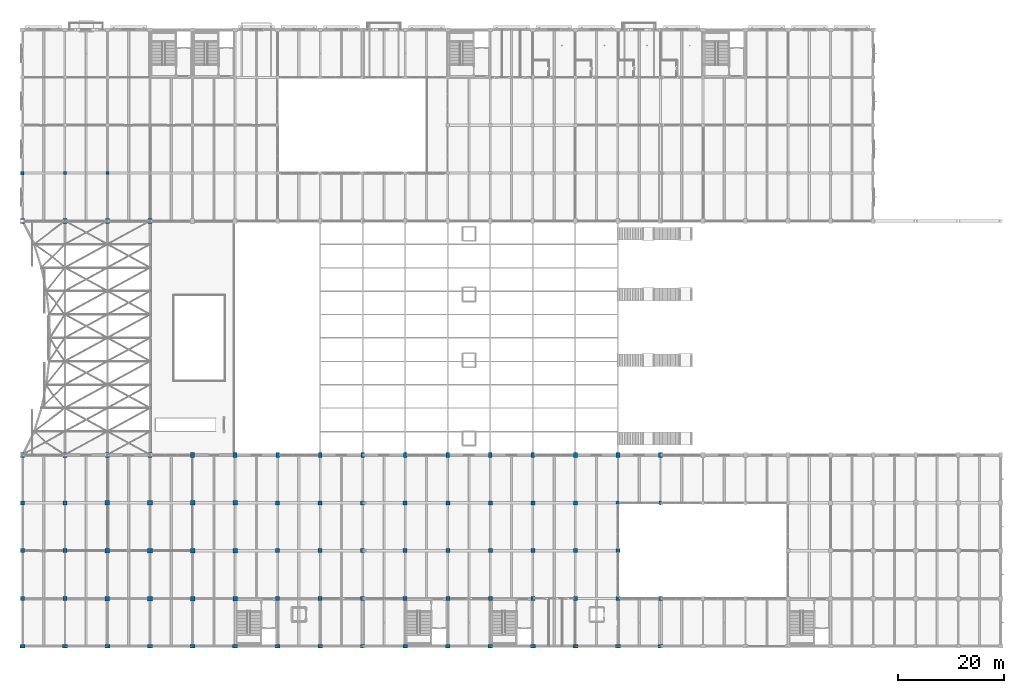
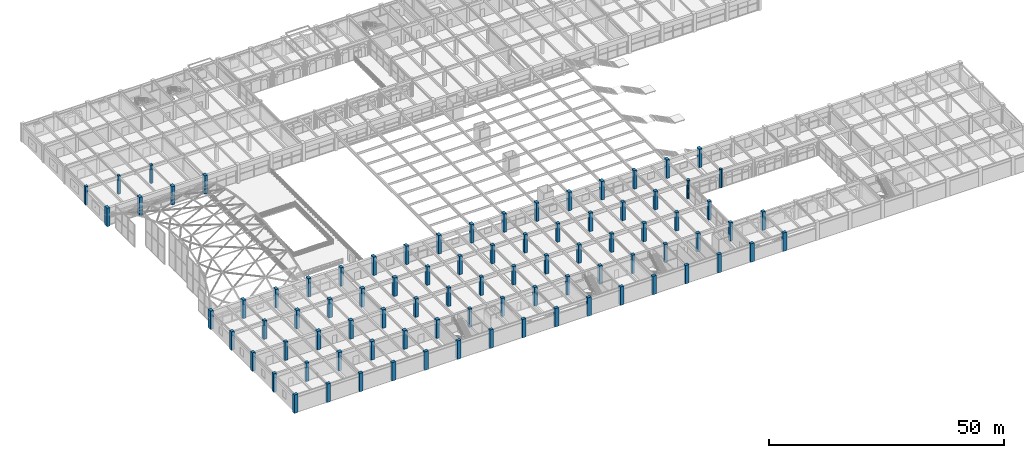
# One storey, part 1 of 144: 86 columns.
"""IFC4 building model written with IfcOpenShell, lengths in metres."""

from ifc_helpers import new_model, si_unit, direction, frame, origin, origin_2d, place, context, subcontext, project, spatial, rectangle, circle, extrude, material, material_profile, profile_set, type_object, element, save


model = new_model("IFC4")

# Units and contexts
model_context = context("Model", 3, precision=1e-05, world=origin(), true_north=direction((0.0, 1.0)))
body_context = subcontext(model_context, "Body", "Model", "MODEL_VIEW")
ifc_project = project(units=[si_unit("LENGTHUNIT", "METRE"), si_unit("AREAUNIT", "SQUARE_METRE"), si_unit("VOLUMEUNIT", "CUBIC_METRE"), si_unit("PLANEANGLEUNIT", "RADIAN"), si_unit("MASSUNIT", "GRAM", prefix="KILO")], contexts=[model_context])

# Site, building, storey
site_placement = place(None, origin())
site = spatial("IfcSite", under=ifc_project, at=site_placement, CompositionType="ELEMENT")
building_placement = place(site_placement, origin())
building = spatial("IfcBuilding", under=site, at=building_placement, Name="Varnabhumi Central Station", CompositionType="ELEMENT")
storey_placement = place(building_placement, frame((0.0, 0.0, 4.800048828125)))
storey = spatial("IfcBuildingStorey", under=building, at=storey_placement, Name="L01", CompositionType="ELEMENT", Elevation=4.800048828125)

# Columns
ifc_material_1 = material(Name="Concrete M40", Category="concrete")
ifc_material_profile_1 = material_profile(ifc_material_1, rectangle(XDim=0.60009765625, YDim=0.60009765625, at=origin_2d()), Name="Concrete M40", Category="concrete")
ifc_profile_set_1 = profile_set([ifc_material_profile_1], Name="Concrete M40")
column_type_1 = type_object("IfcColumnType", Name="COL-NORTH-600", PredefinedType="COLUMN", material=ifc_profile_set_1)
for number, where, z_axis, x_axis, name in (
    (1, (8.0, 89.0, 0.0), (0.0, 0.0, 1.0), (1.0, 0.0, 0.0), "Column L01-2L"),
    (2, (16.0, 89.0, 0.0), (0.0, 0.0, 1.0), (1.0, 0.0, 0.0), "Column L01-3L"),
):
    element("IfcColumn", number, at=place(storey_placement, frame(where, z_axis=z_axis, x_axis=x_axis)), inside=storey, type_object=column_type_1, Name=name, PredefinedType="COLUMN", context=body_context, shape_type="SweptSolid", body=[
        extrude(rectangle(XDim=0.60009765625, YDim=0.60009765625, at=origin_2d()), origin(), (0.0, 0.0, 1.0), 4.800048828125),
    ])
ifc_material_profile_2 = material_profile(ifc_material_1, circle(Radius=0.375, at=origin_2d()), Name="Concrete M40", Category="concrete")
ifc_profile_set_2 = profile_set([ifc_material_profile_2], Name="Concrete M40")
column_type_2 = type_object("IfcColumnType", Name="COL-PATIO-D750", PredefinedType="PILASTER", material=ifc_profile_set_2)
for number, where, z_axis, x_axis, name in (
    (3, (112.0, 27.0, 0.0), (0.0, 0.0, 1.0), (1.0, 0.0, 0.0), "Column L01-15D"),
    (4, (120.0, 27.0, 0.0), (0.0, 0.0, 1.0), (1.0, 0.0, 0.0), "Column L01-16D"),
):
    element("IfcColumn", number, at=place(storey_placement, frame(where, z_axis=z_axis, x_axis=x_axis)), inside=storey, type_object=column_type_2, Name=name, PredefinedType="PILASTER", context=body_context, shape_type="SweptSolid", body=[
        extrude(circle(Radius=0.375, at=origin_2d()), origin(), (0.0, 0.0, 1.0), 4.800048828125),
    ])
ifc_material_profile_3 = material_profile(ifc_material_1, rectangle(XDim=0.64990234375, YDim=0.64990234375, at=origin_2d()), Name="Concrete M40", Category="concrete")
ifc_profile_set_3 = profile_set([ifc_material_profile_3], Name="Concrete M40")
column_type_3 = type_object("IfcColumnType", Name="COL-RC-650", PredefinedType="COLUMN", material=ifc_profile_set_3)
column_placement = place(storey_placement, frame((0.0, 89.0, 0.0), z_axis=(0.0, 0.0, 1.0), x_axis=(1.0, 0.0, 0.0)))
element("IfcColumn", 5, at=column_placement, inside=storey, type_object=column_type_3, Name="Column L01-1L", PredefinedType="COLUMN", context=body_context, shape_type="SweptSolid", body=[
    extrude(rectangle(XDim=0.64990234375, YDim=0.64990234375, at=origin_2d()), origin(), (0.0, 0.0, 1.0), 4.800048828125),
])
ifc_material_profile_4 = material_profile(ifc_material_1, rectangle(XDim=0.75, YDim=0.75, at=origin_2d()), Name="Concrete M40", Category="concrete")
ifc_profile_set_4 = profile_set([ifc_material_profile_4], Name="Concrete M40")
column_type_4 = type_object("IfcColumnType", Name="COL-RC-750", PredefinedType="COLUMN", material=ifc_profile_set_4)
for number, where, z_axis, x_axis, name in (
    (6, (0.0, 9.0, 0.0), (0.0, 0.0, 1.0), (1.0, 0.0, 0.0), "Column L01-1B"),
    (7, (0.0, 18.0, 0.0), (0.0, 0.0, 1.0), (1.0, 0.0, 0.0), "Column L01-1C"),
    (8, (0.0, 27.0, 0.0), (0.0, 0.0, 1.0), (1.0, 0.0, 0.0), "Column L01-1D"),
    (9, (8.0, 9.0, 0.0), (0.0, 0.0, 1.0), (1.0, 0.0, 0.0), "Column L01-2B"),
    (10, (8.0, 18.0, 0.0), (0.0, 0.0, 1.0), (1.0, 0.0, 0.0), "Column L01-2C"),
    (11, (8.0, 27.0, 0.0), (0.0, 0.0, 1.0), (1.0, 0.0, 0.0), "Column L01-2D"),
    (12, (48.0, 9.0, 0.0), (0.0, 0.0, 1.0), (1.0, 0.0, 0.0), "Column L01-7B"),
    (13, (48.0, 18.0, 0.0), (0.0, 0.0, 1.0), (1.0, 0.0, 0.0), "Column L01-7C"),
    (14, (48.0, 27.0, 0.0), (0.0, 0.0, 1.0), (1.0, 0.0, 0.0), "Column L01-7D"),
    (15, (56.0, 9.0, 0.0), (0.0, 0.0, 1.0), (1.0, 0.0, 0.0), "Column L01-8B"),
    (16, (56.0, 18.0, 0.0), (0.0, 0.0, 1.0), (1.0, 0.0, 0.0), "Column L01-8C"),
    (17, (56.0, 27.0, 0.0), (0.0, 0.0, 1.0), (1.0, 0.0, 0.0), "Column L01-8D"),
    (18, (64.0, 9.0, 0.0), (0.0, 0.0, 1.0), (1.0, 0.0, 0.0), "Column L01-9B"),
    (19, (64.0, 18.0, 0.0), (0.0, 0.0, 1.0), (1.0, 0.0, 0.0), "Column L01-9C"),
    (20, (64.0, 27.0, 0.0), (0.0, 0.0, 1.0), (1.0, 0.0, 0.0), "Column L01-9D"),
    (21, (72.0, 9.0, 0.0), (0.0, 0.0, 1.0), (1.0, 0.0, 0.0), "Column L01-10B"),
    (22, (72.0, 18.0, 0.0), (0.0, 0.0, 1.0), (1.0, 0.0, 0.0), "Column L01-10C"),
    (23, (72.0, 27.0, 0.0), (0.0, 0.0, 1.0), (1.0, 0.0, 0.0), "Column L01-10D"),
    (24, (80.0, 9.0, 0.0), (0.0, 0.0, 1.0), (1.0, 0.0, 0.0), "Column L01-11B"),
    (25, (80.0, 18.0, 0.0), (0.0, 0.0, 1.0), (1.0, 0.0, 0.0), "Column L01-11C"),
    (26, (80.0, 27.0, 0.0), (0.0, 0.0, 1.0), (1.0, 0.0, 0.0), "Column L01-11D"),
    (27, (88.0, 9.0, 0.0), (0.0, 0.0, 1.0), (1.0, 0.0, 0.0), "Column L01-12B"),
    (28, (88.0, 18.0, 0.0), (0.0, 0.0, 1.0), (1.0, 0.0, 0.0), "Column L01-12C"),
    (29, (88.0, 27.0, 0.0), (0.0, 0.0, 1.0), (1.0, 0.0, 0.0), "Column L01-12D"),
    (30, (96.0, 9.0, 0.0), (0.0, 0.0, 1.0), (1.0, 0.0, 0.0), "Column L01-13B"),
    (31, (96.0, 18.0, 0.0), (0.0, 0.0, 1.0), (1.0, 0.0, 0.0), "Column L01-13C"),
    (32, (96.0, 27.0, 0.0), (0.0, 0.0, 1.0), (1.0, 0.0, 0.0), "Column L01-13D"),
    (33, (104.0, 9.0, 0.0), (0.0, 0.0, 1.0), (1.0, 0.0, 0.0), "Column L01-14B"),
    (34, (104.0, 18.0, 0.0), (0.0, 0.0, 1.0), (1.0, 0.0, 0.0), "Column L01-14C"),
    (35, (104.0, 27.0, 0.0), (0.0, 0.0, 1.0), (1.0, 0.0, 0.0), "Column L01-14D"),
    (36, (112.0, 9.0, 0.0), (0.0, 0.0, 1.0), (1.0, 0.0, 0.0), "Column L01-15B"),
    (37, (112.0, 18.0, 0.0), (0.0, 0.0, 1.0), (1.0, 0.0, 0.0), "Column L01-15C"),
    (38, (120.0, 9.0, 0.0), (0.0, 0.0, 1.0), (1.0, 0.0, 0.0), "Column L01-16B"),
):
    element("IfcColumn", number, at=place(storey_placement, frame(where, z_axis=z_axis, x_axis=x_axis)), inside=storey, type_object=column_type_4, Name=name, PredefinedType="COLUMN", context=body_context, shape_type="SweptSolid", body=[
        extrude(rectangle(XDim=0.75, YDim=0.75, at=origin_2d()), origin(), (0.0, 0.0, 1.0), 4.800048828125),
    ])
ifc_material_2 = material(Name="Concrete M50", Category="concrete")
ifc_material_profile_5 = material_profile(ifc_material_2, rectangle(XDim=0.85009765625, YDim=0.85009765625, at=origin_2d()), Name="Concrete M50", Category="concrete")
ifc_profile_set_5 = profile_set([ifc_material_profile_5], Name="Concrete M50")
column_type_5 = type_object("IfcColumnType", Name="COL-RC-850", PredefinedType="COLUMN", material=ifc_profile_set_5)
for number, where, z_axis, x_axis, name in (
    (39, (16.0, 9.0, 0.0), (0.0, 0.0, 1.0), (1.0, 0.0, 0.0), "Column L01-3B"),
    (40, (16.0, 18.0, 0.0), (0.0, 0.0, 1.0), (1.0, 0.0, 0.0), "Column L01-3C"),
    (41, (16.0, 27.0, 0.0), (0.0, 0.0, 1.0), (1.0, 0.0, 0.0), "Column L01-3D"),
    (42, (24.0, 9.0, 0.0), (0.0, 0.0, 1.0), (1.0, 0.0, 0.0), "Column L01-4B"),
    (43, (24.0, 18.0, 0.0), (0.0, 0.0, 1.0), (1.0, 0.0, 0.0), "Column L01-4C"),
    (44, (24.0, 27.0, 0.0), (0.0, 0.0, 1.0), (1.0, 0.0, 0.0), "Column L01-4D"),
    (45, (32.0, 9.0, 0.0), (0.0, 0.0, 1.0), (1.0, 0.0, 0.0), "Column L01-5B"),
    (46, (32.0, 18.0, 0.0), (0.0, 0.0, 1.0), (1.0, 0.0, 0.0), "Column L01-5C"),
    (47, (32.0, 27.0, 0.0), (0.0, 0.0, 1.0), (1.0, 0.0, 0.0), "Column L01-5D"),
    (48, (40.0, 9.0, 0.0), (0.0, 0.0, 1.0), (1.0, 0.0, 0.0), "Column L01-6B"),
    (49, (40.0, 18.0, 0.0), (0.0, 0.0, 1.0), (1.0, 0.0, 0.0), "Column L01-6C"),
    (50, (40.0, 27.0, 0.0), (0.0, 0.0, 1.0), (1.0, 0.0, 0.0), "Column L01-6D"),
):
    element("IfcColumn", number, at=place(storey_placement, frame(where, z_axis=z_axis, x_axis=x_axis)), inside=storey, type_object=column_type_5, Name=name, PredefinedType="COLUMN", context=body_context, shape_type="SweptSolid", body=[
        extrude(rectangle(XDim=0.85009765625, YDim=0.85009765625, at=origin_2d()), origin(), (0.0, 0.0, 1.0), 4.800048828125),
    ])
ifc_material_profile_6 = material_profile(ifc_material_1, rectangle(XDim=0.89990234375, YDim=0.699951171875, at=origin_2d()), Name="Concrete M40", Category="concrete")
ifc_profile_set_6 = profile_set([ifc_material_profile_6], Name="Concrete M40")
column_type_6 = type_object("IfcColumnType", Name="COL-RC-900x700", PredefinedType="PILASTER", material=ifc_profile_set_6)
for number, where, z_axis, x_axis, name in (
    (51, (0.0, 0.0, 0.0), (0.0, 0.0, 1.0), (1.0, 0.0, 0.0), "Column L01-1A"),
    (52, (8.0, 0.0, 0.0), (0.0, 0.0, 1.0), (1.0, 0.0, 0.0), "Column L01-2A"),
    (53, (16.0, 0.0, 0.0), (0.0, 0.0, 1.0), (1.0, 0.0, 0.0), "Column L01-3A"),
    (54, (24.0, 0.0, 0.0), (0.0, 0.0, 1.0), (1.0, 0.0, 0.0), "Column L01-4A"),
    (55, (32.0, 0.0, 0.0), (0.0, 0.0, 1.0), (1.0, 0.0, 0.0), "Column L01-5A"),
    (56, (40.0, 0.0, 0.0), (0.0, 0.0, 1.0), (1.0, 0.0, 0.0), "Column L01-6A"),
    (57, (48.0, 0.0, 0.0), (0.0, 0.0, 1.0), (1.0, 0.0, 0.0), "Column L01-7A"),
    (58, (56.0, 0.0, 0.0), (0.0, 0.0, 1.0), (1.0, 0.0, 0.0), "Column L01-8A"),
    (59, (64.0, 0.0, 0.0), (0.0, 0.0, 1.0), (1.0, 0.0, 0.0), "Column L01-9A"),
    (60, (72.0, 0.0, 0.0), (0.0, 0.0, 1.0), (1.0, 0.0, 0.0), "Column L01-10A"),
    (61, (80.0, 0.0, 0.0), (0.0, 0.0, 1.0), (1.0, 0.0, 0.0), "Column L01-11A"),
    (62, (88.0, 0.0, 0.0), (0.0, 0.0, 1.0), (1.0, 0.0, 0.0), "Column L01-12A"),
    (63, (96.0, 0.0, 0.0), (0.0, 0.0, 1.0), (1.0, 0.0, 0.0), "Column L01-13A"),
    (64, (104.0, 0.0, 0.0), (0.0, 0.0, 1.0), (1.0, 0.0, 0.0), "Column L01-14A"),
    (65, (112.0, 0.0, 0.0), (0.0, 0.0, 1.0), (1.0, 0.0, 0.0), "Column L01-15A"),
    (66, (120.0, 0.0, 0.0), (0.0, 0.0, 1.0), (1.0, 0.0, 0.0), "Column L01-16A"),
):
    element("IfcColumn", number, at=place(storey_placement, frame(where, z_axis=z_axis, x_axis=x_axis)), inside=storey, type_object=column_type_6, Name=name, PredefinedType="PILASTER", context=body_context, shape_type="SweptSolid", body=[
        extrude(rectangle(XDim=0.89990234375, YDim=0.699951171875, at=origin_2d()), origin(), (0.0, 0.0, 1.0), 4.800048828125),
    ])
ifc_material_profile_7 = material_profile(ifc_material_2, rectangle(XDim=0.699951171875, YDim=1.0, at=origin_2d()), Name="Concrete M50", Category="concrete")
ifc_profile_set_7 = profile_set([ifc_material_profile_7], Name="Concrete M50")
column_type_7 = type_object("IfcColumnType", Name="COL-SPINE-M50-1000x700", PredefinedType="COLUMN", material=ifc_profile_set_7)
for number, where, z_axis, x_axis, name in (
    (67, (0.0, 36.0, 0.0), (0.0, 0.0, 1.0), (1.0, 0.0, 0.0), "Column L01-1E"),
    (68, (0.0, 80.0, 0.0), (0.0, 0.0, 1.0), (1.0, 0.0, 0.0), "Column L01-1K"),
    (69, (8.0, 36.0, 0.0), (0.0, 0.0, 1.0), (1.0, 0.0, 0.0), "Column L01-2E"),
    (70, (8.0, 80.0, 0.0), (0.0, 0.0, 1.0), (1.0, 0.0, 0.0), "Column L01-2K"),
    (71, (16.0, 36.0, 0.0), (0.0, 0.0, 1.0), (1.0, 0.0, 0.0), "Column L01-3E"),
    (72, (16.0, 80.0, 0.0), (0.0, 0.0, 1.0), (1.0, 0.0, 0.0), "Column L01-3K"),
    (73, (24.0, 36.0, 0.0), (0.0, 0.0, 1.0), (1.0, 0.0, 0.0), "Column L01-4E"),
    (74, (24.0, 80.0, 0.0), (0.0, 0.0, 1.0), (1.0, 0.0, 0.0), "Column L01-4K"),
    (75, (32.0, 36.0, 0.0), (0.0, 0.0, 1.0), (1.0, 0.0, 0.0), "Column L01-5E"),
    (76, (40.0, 36.0, 0.0), (0.0, 0.0, 1.0), (1.0, 0.0, 0.0), "Column L01-6E"),
    (77, (48.0, 36.0, 0.0), (0.0, 0.0, 1.0), (1.0, 0.0, 0.0), "Column L01-7E"),
    (78, (56.0, 36.0, 0.0), (0.0, 0.0, 1.0), (1.0, 0.0, 0.0), "Column L01-8E"),
    (79, (64.0, 36.0, 0.0), (0.0, 0.0, 1.0), (1.0, 0.0, 0.0), "Column L01-9E"),
    (80, (72.0, 36.0, 0.0), (0.0, 0.0, 1.0), (1.0, 0.0, 0.0), "Column L01-10E"),
    (81, (80.0, 36.0, 0.0), (0.0, 0.0, 1.0), (1.0, 0.0, 0.0), "Column L01-11E"),
    (82, (88.0, 36.0, 0.0), (0.0, 0.0, 1.0), (1.0, 0.0, 0.0), "Column L01-12E"),
    (83, (96.0, 36.0, 0.0), (0.0, 0.0, 1.0), (1.0, 0.0, 0.0), "Column L01-13E"),
    (84, (104.0, 36.0, 0.0), (0.0, 0.0, 1.0), (1.0, 0.0, 0.0), "Column L01-14E"),
    (85, (112.0, 36.0, 0.0), (0.0, 0.0, 1.0), (1.0, 0.0, 0.0), "Column L01-15E"),
    (86, (120.0, 36.0, 0.0), (0.0, 0.0, 1.0), (1.0, 0.0, 0.0), "Column L01-16E"),
):
    element("IfcColumn", number, at=place(storey_placement, frame(where, z_axis=z_axis, x_axis=x_axis)), inside=storey, type_object=column_type_7, Name=name, PredefinedType="COLUMN", context=body_context, shape_type="SweptSolid", body=[
        extrude(rectangle(XDim=0.699951171875, YDim=1.0, at=origin_2d()), origin(), (0.0, 0.0, 1.0), 4.800048828125),
    ])

save(model, "model.ifc")
